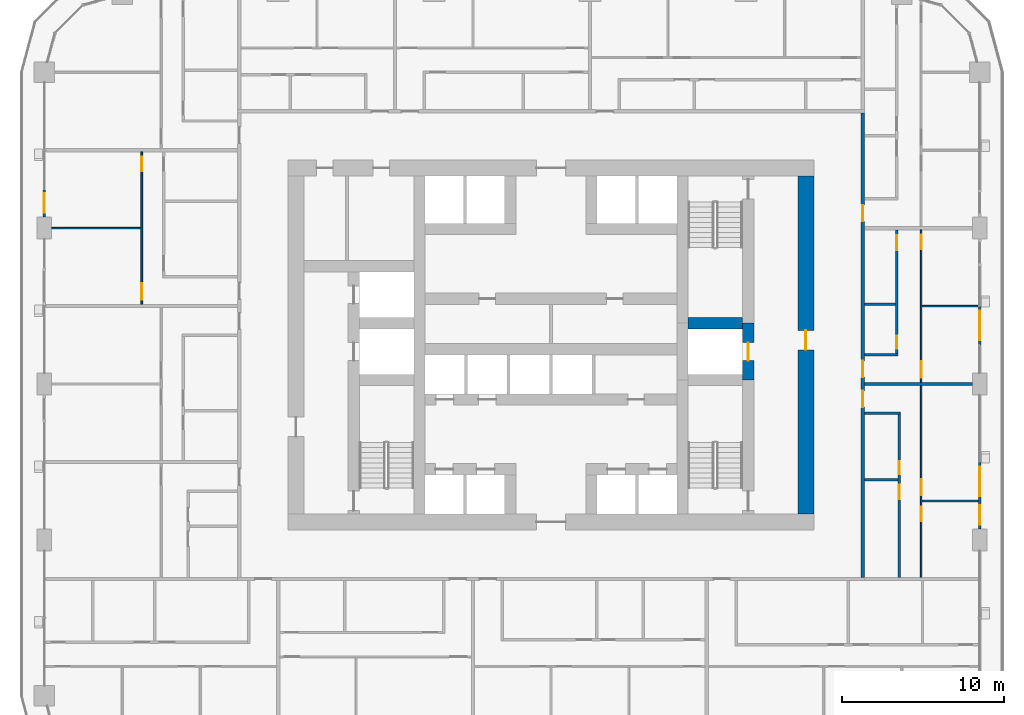
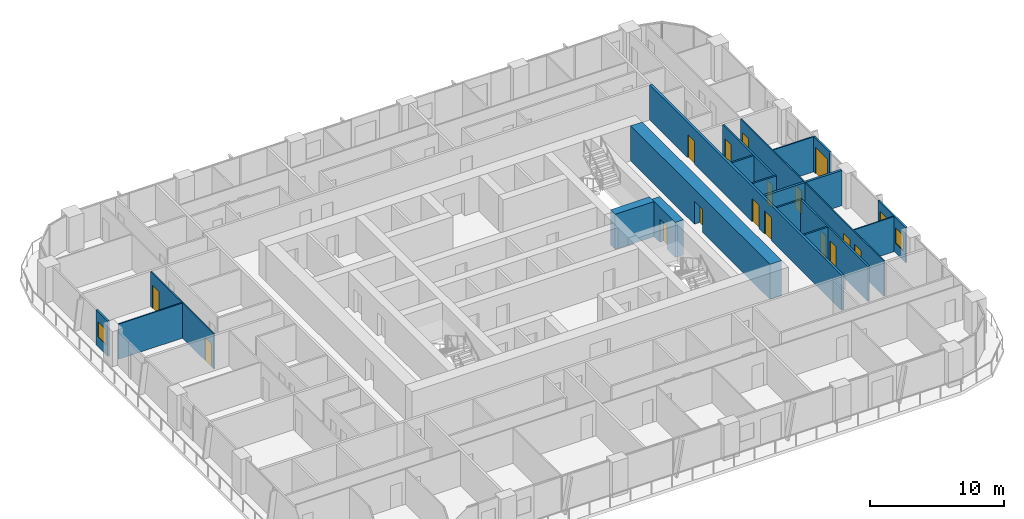
# One storey, part 12 of 21: 20 walls, 17 doors, 2 windows, 19 openings.
"""IFC4 building model written with IfcOpenShell, lengths in metres."""

import ifcopenshell
import ifcopenshell.guid

model = None  # the IFC model being written
_history = None  # IfcOwnerHistory: only IFC2X3 demands one
_inside = {}  # id of a spatial element -> (the spatial element, [elements in it])
_under = {}  # id of a project, library or spatial element -> (it, [spatial elements below it])
_declared = {}  # id of a project -> (the project, [libraries it declares])
_typed = {}  # id of a type object -> (the type object, [elements of that type])
_made_of = {}  # id of a material, layer set ... -> (it, [elements and type objects made of it])


def new_model(schema):
    """Start an empty IFC model of exactly this schema.

    Asked for "IFC4X3", IfcOpenShell would pick the latest addendum, in which some entities
    have other attributes; the version numbers below select the first issue.
    IFC2X3 requires an IfcOwnerHistory on every rooted entity: one is made here for all.
    """
    global model, _history
    if schema == "IFC4X3":
        model = ifcopenshell.file(schema_version=(4, 3, 0, 0))
    else:
        model = ifcopenshell.file(schema=schema)
    _inside.clear()
    _under.clear()
    _declared.clear()
    _typed.clear()
    _made_of.clear()
    _history = None
    if model.schema == "IFC2X3":
        org = make("IfcOrganization", Name="unknown")
        user = make(
            "IfcPersonAndOrganization",
            ThePerson=make("IfcPerson", FamilyName="unknown"),
            TheOrganization=org,
        )
        app = make(
            "IfcApplication",
            ApplicationDeveloper=org,
            Version="unknown",
            ApplicationFullName="unknown",
            ApplicationIdentifier="unknown",
        )
        _history = make(
            "IfcOwnerHistory",
            OwningUser=user,
            OwningApplication=app,
            ChangeAction="ADDED",
            CreationDate=0,
        )
    return model


def make(cls, **values):
    """One entity of the class cls with the attributes given. An attribute that is None is left unset."""
    return model.create_entity(
        cls, **{name: value for name, value in values.items() if value is not None}
    )


def rooted(cls, **values):
    """An entity with a GlobalId (a new one), such as an element, a storey or a relation."""
    return make(cls, GlobalId=ifcopenshell.guid.new(), OwnerHistory=_history, **values)


def si_unit(unit_type, name, prefix=None):
    """IfcSIUnit, for example si_unit("LENGTHUNIT", "METRE", prefix="MILLI")."""
    return make("IfcSIUnit", UnitType=unit_type, Prefix=prefix, Name=name)


def assignment(units):
    """IfcUnitAssignment: the units of a project."""
    return None if units is None else make("IfcUnitAssignment", Units=units)


def point(xyz):
    """IfcCartesianPoint."""
    return None if xyz is None else make("IfcCartesianPoint", Coordinates=xyz)


def direction(xyz):
    """IfcDirection."""
    return None if xyz is None else make("IfcDirection", DirectionRatios=xyz)


def frame(location, z_axis=None, x_axis=None):
    """IfcAxis2Placement3D, a coordinate frame: its origin and axes. An axis left out is left unset."""
    return make(
        "IfcAxis2Placement3D",
        Location=point(location),
        Axis=direction(z_axis),
        RefDirection=direction(x_axis),
    )


def frame_2d(location, x_axis=None):
    """IfcAxis2Placement2D, a coordinate frame in the plane: its origin and x axis."""
    return make(
        "IfcAxis2Placement2D", Location=point(location), RefDirection=direction(x_axis)
    )


def origin():
    """The frame at (0, 0, 0) with its axes left unset."""
    return frame((0.0, 0.0, 0.0))


def place(relative_to, where):
    """IfcLocalPlacement: puts the frame where relative to a parent placement (None: the world)."""
    return make(
        "IfcLocalPlacement", PlacementRelTo=relative_to, RelativePlacement=where
    )


def context(
    kind, dimensions, precision=None, world=None, true_north=None, identifier=None
):
    """IfcGeometricRepresentationContext, for example the 3D "Model" context."""
    return make(
        "IfcGeometricRepresentationContext",
        ContextIdentifier=identifier,
        ContextType=kind,
        CoordinateSpaceDimension=dimensions,
        Precision=precision,
        WorldCoordinateSystem=world,
        TrueNorth=true_north,
    )


def subcontext(parent, identifier, kind, view, scale=None):
    """IfcGeometricRepresentationSubContext, for example "Body" below "Model"."""
    return make(
        "IfcGeometricRepresentationSubContext",
        ContextIdentifier=identifier,
        ContextType=kind,
        ParentContext=parent,
        TargetScale=scale,
        TargetView=view,
    )


def project(units=None, contexts=None):
    """IfcProject with its units and contexts."""
    return rooted(
        "IfcProject",
        Name="project",
        RepresentationContexts=contexts,
        UnitsInContext=assignment(units),
    )


def spatial(cls, under=None, at=None, **own):
    """A site, building, storey or space (cls), placed at a placement, below another one or the project."""
    s = rooted(cls, ObjectPlacement=at, **own)
    if under is not None:
        _under.setdefault(under.id(), (under, []))[1].append(s)
    return s


def profile(cls, at=None, kind="AREA", **sizes):
    """A parametric profile (cls). Its sizes go by their IFC names, for example OverallWidth=200.0."""
    return make(cls, ProfileType=kind, Position=at, **sizes)


def rectangle(**sizes):
    """IfcRectangleProfileDef."""
    return profile("IfcRectangleProfileDef", **sizes)


def extrude(swept, where, along, depth):
    """IfcExtrudedAreaSolid: the profile swept, set in the frame where, extruded along a direction by depth."""
    return make(
        "IfcExtrudedAreaSolid",
        SweptArea=swept,
        Position=where,
        ExtrudedDirection=direction(along),
        Depth=depth,
    )


def shape(context_of_items, identifier, shape_type, items):
    """IfcShapeRepresentation: the items that make up one representation, for example the "Body"."""
    return make(
        "IfcShapeRepresentation",
        ContextOfItems=context_of_items,
        RepresentationIdentifier=identifier,
        RepresentationType=shape_type,
        Items=items,
    )


def material(Name=None, Category=None):
    """IfcMaterial."""
    return make("IfcMaterial", Name=Name, Category=Category)


def layer(
    of_material, thickness, ventilated=None, Name=None, Category=None, Priority=None
):
    """IfcMaterialLayer: one layer of a wall or slab, of a material (None: an air gap)."""
    return make(
        "IfcMaterialLayer",
        Material=of_material,
        LayerThickness=thickness,
        IsVentilated=ventilated,
        Name=Name,
        Category=Category,
        Priority=Priority,
    )


def layer_set(layers, Name=None):
    """IfcMaterialLayerSet."""
    return make("IfcMaterialLayerSet", MaterialLayers=layers, LayerSetName=Name)


def made_of(thing, what):
    """Note that an element or type object is made of a material, layer set ...; save() writes the relation."""
    if what is not None:
        _made_of.setdefault(what.id(), (what, []))[1].append(thing)
    return thing


def type_object(cls, material=None, **own):
    """A type object (cls), such as IfcWallType, which elements share."""
    return made_of(rooted(cls, **own), material)


def element(
    cls,
    number,
    at=None,
    inside=None,
    cuts=None,
    type_object=None,
    material=None,
    context=None,
    identifier="Body",
    shape_type=None,
    held_by="IfcProductDefinitionShape",
    body=None,
    shapes=None,
    **own,
):
    """One element of the class cls, such as IfcWall. Its Tag is "e" and its number.

    at: its placement. inside: the storey or other place that contains it. cuts: it is an
    opening in that element (IfcRelVoidsElement). A single representation is given by context,
    identifier, shape_type and body (its items); several are given by shapes. held_by: the class
    of the entity that holds the representations. save() writes the other relations.
    """
    e = rooted(cls, Tag="e%d" % number, ObjectPlacement=at, **own)
    if body is not None:
        shapes = [shape(context, identifier, shape_type, body)]
    if shapes is not None:
        e.Representation = make(held_by, Representations=shapes)
    if inside is not None:
        _inside.setdefault(inside.id(), (inside, []))[1].append(e)
    if cuts is not None:
        rooted(
            "IfcRelVoidsElement", RelatingBuildingElement=cuts, RelatedOpeningElement=e
        )
    if type_object is not None:
        _typed.setdefault(type_object.id(), (type_object, []))[1].append(e)
    return made_of(e, material)


def fill(opening, filler):
    """IfcRelFillsElement: the door or window that sits in an opening."""
    return rooted(
        "IfcRelFillsElement",
        RelatingOpeningElement=opening,
        RelatedBuildingElement=filler,
    )


def aggregate(whole, parts):
    """IfcRelAggregates: a whole, such as a stair, and the parts it consists of."""
    return rooted("IfcRelAggregates", RelatingObject=whole, RelatedObjects=parts)


def save(model, path):
    """Write the relations noted so far, then the file.

    IfcRelAggregates (storeys below a building ...), IfcRelContainedInSpatialStructure (elements
    in a storey), IfcRelDefinesByType, IfcRelAssociatesMaterial and IfcRelDeclares: one each for
    every whole, place, type object, material and project.
    """
    for whole, parts in _under.values():
        aggregate(whole, parts)
    for where, things in _inside.values():
        rooted(
            "IfcRelContainedInSpatialStructure",
            RelatedElements=things,
            RelatingStructure=where,
        )
    for kind, things in _typed.values():
        rooted("IfcRelDefinesByType", RelatedObjects=things, RelatingType=kind)
    for what, things in _made_of.values():
        rooted("IfcRelAssociatesMaterial", RelatedObjects=things, RelatingMaterial=what)
    for by, libraries in _declared.values():
        rooted("IfcRelDeclares", RelatingContext=by, RelatedDefinitions=libraries)
    model.write(path)


model = new_model("IFC4")

# Units and contexts
model_context = context("Model", 3, precision=1e-05, world=origin(), true_north=direction((0.0, 1.0)))
body_context = subcontext(model_context, "Body", "Model", "MODEL_VIEW")
ifc_project = project(units=[si_unit("LENGTHUNIT", "METRE"), si_unit("AREAUNIT", "SQUARE_METRE"), si_unit("VOLUMEUNIT", "CUBIC_METRE"), si_unit("PLANEANGLEUNIT", "RADIAN"), si_unit("MASSUNIT", "GRAM", prefix="KILO")], contexts=[model_context])

# Site, building, storey
site_placement = place(None, origin())
site = spatial("IfcSite", under=ifc_project, at=site_placement, CompositionType="ELEMENT")
building_placement = place(site_placement, origin())
building = spatial("IfcBuilding", under=site, at=building_placement, Name="Madar Terraces", CompositionType="ELEMENT")
storey_placement = place(building_placement, frame((0.0, 0.0, 39.89990234375)))
storey = spatial("IfcBuildingStorey", under=building, at=storey_placement, Name="L09", CompositionType="ELEMENT", Elevation=39.89990234375)

# Wall, opening, door
ifc_material_1 = material(Name="Concrete C80/95", Category="concrete")
ifc_layer_1 = layer(ifc_material_1, 0.699951171875)
ifc_layer_set_1 = layer_set([ifc_layer_1], Name="Concrete C80/95 (CIW1 RC wall 700)")
wall_type_1 = type_object("IfcWallType", Name="CIW1 RC wall 700", PredefinedType="SHEAR", material=ifc_layer_set_1)
wall_1_placement = place(storey_placement, frame((43.35009765625, 24.25, 0.0), z_axis=(0.0, 0.0, 1.0), x_axis=(0.0, 1.0, 0.0)))
wall_1 = element("IfcWall", 1, at=wall_1_placement, inside=storey, type_object=wall_type_1, Name="CORE SHAFT WALL", PredefinedType="SHEAR", context=body_context, shape_type="SweptSolid", body=[
    extrude(rectangle(XDim=3.5, YDim=0.699951171875, at=frame_2d((1.75, 0.0))), origin(), (0.0, 0.0, 1.0), 3.2001953125),
])
opening_1_placement = place(wall_1_placement, frame((1.199951171875, 0.0, 0.0)))
opening_1 = element("IfcOpeningElement", 2, at=opening_1_placement, cuts=wall_1, Name="Opening LD", PredefinedType="OPENING", context=body_context, shape_type="SweptSolid", body=[
    extrude(rectangle(XDim=1.10009765625, YDim=2.10009765625, at=frame_2d((0.550048828125, 1.050048828125))), frame((0.0, 0.35986328125, 0.0), z_axis=(0.0, -1.0, 0.0), x_axis=(1.0, 0.0, 0.0)), (0.0, 0.0, 1.0), 0.719970703125),
])
ifc_material_2 = material(Name="Stainless steel panel", Category="steel")
door_type_1 = type_object("IfcDoorType", Name="Lift landing door 1100 x 2100", OperationType="DOUBLE_DOOR_SLIDING", PredefinedType="DOOR", material=ifc_material_2)
door_1_placement = place(opening_1_placement, origin())
door_1 = element("IfcDoor", 3, at=door_1_placement, inside=storey, type_object=door_type_1, Name="LIFT LANDING DOOR", OperationType="DOUBLE_DOOR_SLIDING", OverallHeight=2.10009765625, OverallWidth=1.10009765625, PredefinedType="DOOR", context=body_context, shape_type="SweptSolid", body=[
    extrude(rectangle(XDim=1.10009765625, YDim=2.10009765625, at=frame_2d((0.550048828125, 1.050048828125))), frame((0.0, 0.02490234375, 0.0), z_axis=(0.0, -1.0, 0.0), x_axis=(1.0, 0.0, 0.0)), (0.0, 0.0, 1.0), 0.050048828125),
])
fill(opening_1, door_1)

# Wall
wall_2_placement = place(storey_placement, frame((39.64990234375, 27.75, 0.0), z_axis=(0.0, 0.0, 1.0), x_axis=(1.0, 0.0, 0.0)))
element("IfcWall", 4, at=wall_2_placement, inside=storey, type_object=wall_type_1, Name="CORE SHAFT WALL", PredefinedType="SHEAR", context=body_context, shape_type="SweptSolid", body=[
    extrude(rectangle(XDim=3.35009765625, YDim=0.699951171875, at=frame_2d((1.675048828125, 0.0))), origin(), (0.0, 0.0, 1.0), 3.2001953125),
])

# Wall, opening, door
ifc_material_3 = material(Name="Concrete C80/95", Category="concrete")
ifc_layer_2 = layer(ifc_material_3, 1.0)
ifc_layer_set_2 = layer_set([ifc_layer_2], Name="Concrete C80/95 (CRW1 RC wall 1000)")
wall_type_2 = type_object("IfcWallType", Name="CRW1 RC wall 1000", PredefinedType="SHEAR", material=ifc_layer_set_2)
wall_3_placement = place(storey_placement, frame((46.89990234375, 16.0, 0.0), z_axis=(0.0, 0.0, 1.0), x_axis=(0.0, 1.0, 0.0)))
wall_3 = element("IfcWall", 5, at=wall_3_placement, inside=storey, type_object=wall_type_2, Name="CORE OUTER WALL", PredefinedType="SHEAR", context=body_context, shape_type="SweptSolid", body=[
    extrude(rectangle(XDim=20.800048828125, YDim=1.0, at=frame_2d((10.39990234375, 0.0))), origin(), (0.0, 0.0, 1.0), 3.2001953125),
])
opening_2_placement = place(wall_3_placement, frame((10.10009765625, 0.0, 0.0)))
opening_2 = element("IfcOpeningElement", 6, at=opening_2_placement, cuts=wall_3, Name="Opening SD1", PredefinedType="OPENING", context=body_context, shape_type="SweptSolid", body=[
    extrude(rectangle(XDim=1.199951171875, YDim=2.10009765625, at=frame_2d((0.60009765625, 1.050048828125))), frame((0.0, 0.510009765625, 0.0), z_axis=(0.0, -1.0, 0.0), x_axis=(1.0, 0.0, 0.0)), (0.0, 0.0, 1.0), 1.02001953125),
])
ifc_material_4 = material(Name="Steel door leaf", Category="steel")
door_type_2 = type_object("IfcDoorType", Name="Stair door 1200 x 2100", OperationType="NOTDEFINED", PredefinedType="DOOR", material=ifc_material_4)
door_2_placement = place(opening_2_placement, origin())
door_2 = element("IfcDoor", 7, at=door_2_placement, inside=storey, type_object=door_type_2, Name="STAIR DOOR", OperationType="SINGLE_SWING_LEFT", OverallHeight=2.10009765625, OverallWidth=1.199951171875, PredefinedType="DOOR", context=body_context, shape_type="SweptSolid", body=[
    extrude(rectangle(XDim=1.199951171875, YDim=2.10009765625, at=frame_2d((0.60009765625, 1.050048828125))), frame((0.0, 0.02490234375, 0.0), z_axis=(0.0, -1.0, 0.0), x_axis=(1.0, 0.0, 0.0)), (0.0, 0.0, 1.0), 0.050048828125),
])
fill(opening_2, door_2)

# Wall, openings, door, window
ifc_material_5 = material(Name="Aluminium composite panel, black, over insulated backing", Category="aluminium")
ifc_layer_3 = layer(ifc_material_5, 0.14990234375)
ifc_layer_set_3 = layer_set([ifc_layer_3], Name="Facade bay panel 150")
wall_type_3 = type_object("IfcWallType", Name="Facade bay panel 150", PredefinedType="SOLIDWALL", material=ifc_layer_set_3)
wall_4_placement = place(storey_placement, frame((57.60009765625, 15.074951171875, 0.0), z_axis=(0.0, 0.0, 1.0), x_axis=(0.0, 1.0, 0.0)))
wall_4 = element("IfcWall", 8, at=wall_4_placement, inside=storey, type_object=wall_type_3, Name="Facade bay panel", PredefinedType="SOLIDWALL", context=body_context, shape_type="SweptSolid", body=[
    extrude(rectangle(XDim=4.125, YDim=0.14990234375, at=frame_2d((2.0625, 0.0))), origin(), (0.0, 0.0, 1.0), 3.2001953125),
])
opening_3_placement = place(wall_4_placement, frame((0.262451171875, 0.0, 0.89990234375)))
opening_3 = element("IfcOpeningElement", 9, at=opening_3_placement, cuts=wall_4, Name="Opening W1", PredefinedType="OPENING", context=body_context, shape_type="SweptSolid", body=[
    extrude(rectangle(XDim=1.199951171875, YDim=1.39990234375, at=frame_2d((0.60009765625, 0.699951171875))), frame((0.0, 0.0849609375, 0.0), z_axis=(0.0, -1.0, 0.0), x_axis=(1.0, 0.0, 0.0)), (0.0, 0.0, 1.0), 0.169921875),
])
opening_4_placement = place(wall_4_placement, frame((2.02490234375, 0.0, 0.0)))
opening_4 = element("IfcOpeningElement", 10, at=opening_4_placement, cuts=wall_4, Name="Opening ED1", PredefinedType="OPENING", context=body_context, shape_type="SweptSolid", body=[
    extrude(rectangle(XDim=1.800048828125, YDim=2.39990234375, at=frame_2d((0.89990234375, 1.199951171875))), frame((0.0, 0.0849609375, 0.0), z_axis=(0.0, -1.0, 0.0), x_axis=(1.0, 0.0, 0.0)), (0.0, 0.0, 1.0), 0.169921875),
])
ifc_material_6 = material(Name="Glass, clear, with black aluminium frame", Category="aluminium")
door_type_3 = type_object("IfcDoorType", Name="Balcony and terrace sliding door 1800 x 2400", OperationType="SLIDING_TO_LEFT", PredefinedType="DOOR", material=ifc_material_6)
door_3_placement = place(opening_4_placement, origin())
door_3 = element("IfcDoor", 11, at=door_3_placement, inside=storey, type_object=door_type_3, Name="Balcony door", OperationType="SLIDING_TO_RIGHT", OverallHeight=2.39990234375, OverallWidth=1.800048828125, PredefinedType="DOOR", context=body_context, shape_type="SweptSolid", body=[
    extrude(rectangle(XDim=1.800048828125, YDim=2.39990234375, at=frame_2d((0.89990234375, 1.199951171875))), frame((0.0, 0.02490234375, 0.0), z_axis=(0.0, -1.0, 0.0), x_axis=(1.0, 0.0, 0.0)), (0.0, 0.0, 1.0), 0.050048828125),
])
fill(opening_4, door_3)
ifc_material_7 = material(Name="Glass, clear, with black aluminium frame", Category="aluminium")
window_type = type_object("IfcWindowType", Name="Vent window 1200 x 1400", PartitioningType="SINGLE_PANEL", PredefinedType="WINDOW", material=ifc_material_7)
window_1_placement = place(opening_3_placement, origin())
window_1 = element("IfcWindow", 12, at=window_1_placement, inside=storey, type_object=window_type, Name="Operable vent window", OverallHeight=1.39990234375, OverallWidth=1.199951171875, PartitioningType="SINGLE_PANEL", PredefinedType="WINDOW", context=body_context, shape_type="SweptSolid", body=[
    extrude(rectangle(XDim=1.199951171875, YDim=1.39990234375, at=frame_2d((0.60009765625, 0.699951171875))), frame((0.0, 0.030029296875, 0.0), z_axis=(0.0, -1.0, 0.0), x_axis=(1.0, 0.0, 0.0)), (0.0, 0.0, 1.0), 0.06005859375),
])
fill(opening_3, window_1)

# Wall, opening, door
wall_5_placement = place(storey_placement, frame((57.60009765625, 26.39990234375, 0.0), z_axis=(0.0, 0.0, 1.0), x_axis=(0.0, 1.0, 0.0)))
wall_5 = element("IfcWall", 13, at=wall_5_placement, inside=storey, type_object=wall_type_3, Name="Facade bay panel", PredefinedType="SOLIDWALL", context=body_context, shape_type="SweptSolid", body=[
    extrude(rectangle(XDim=2.400146484375, YDim=0.14990234375, at=frame_2d((1.2001953125, 0.0))), origin(), (0.0, 0.0, 1.0), 3.2001953125),
])
opening_5_placement = place(wall_5_placement, frame((0.300048828125, 0.0, 0.0)))
opening_5 = element("IfcOpeningElement", 14, at=opening_5_placement, cuts=wall_5, Name="Opening ED1", PredefinedType="OPENING", context=body_context, shape_type="SweptSolid", body=[
    extrude(rectangle(XDim=1.800048828125, YDim=2.39990234375, at=frame_2d((0.89990234375, 1.199951171875))), frame((0.0, 0.0849609375, 0.0), z_axis=(0.0, -1.0, 0.0), x_axis=(1.0, 0.0, 0.0)), (0.0, 0.0, 1.0), 0.169921875),
])
door_4_placement = place(opening_5_placement, origin())
door_4 = element("IfcDoor", 15, at=door_4_placement, inside=storey, type_object=door_type_3, Name="Balcony door", OperationType="SLIDING_TO_LEFT", OverallHeight=2.39990234375, OverallWidth=1.800048828125, PredefinedType="DOOR", context=body_context, shape_type="SweptSolid", body=[
    extrude(rectangle(XDim=1.800048828125, YDim=2.39990234375, at=frame_2d((0.89990234375, 1.199951171875))), frame((0.0, 0.02490234375, 0.0), z_axis=(0.0, -1.0, 0.0), x_axis=(1.0, 0.0, 0.0)), (0.0, 0.0, 1.0), 0.050048828125),
])
fill(opening_5, door_4)

# Wall, opening, window
wall_6_placement = place(storey_placement, frame((0.0, 36.0, 0.0), z_axis=(0.0, 0.0, 1.0), x_axis=(0.0, -1.0, 0.0)))
wall_6 = element("IfcWall", 16, at=wall_6_placement, inside=storey, type_object=wall_type_3, Name="Facade bay panel", PredefinedType="SOLIDWALL", context=body_context, shape_type="SweptSolid", body=[
    extrude(rectangle(XDim=1.72509765625, YDim=0.14990234375, at=frame_2d((0.862548828125, 0.0))), origin(), (0.0, 0.0, 1.0), 3.2001953125),
])
opening_6_placement = place(wall_6_placement, frame((0.262451171875, 0.0, 0.89990234375)))
opening_6 = element("IfcOpeningElement", 17, at=opening_6_placement, cuts=wall_6, Name="Opening W1", PredefinedType="OPENING", context=body_context, shape_type="SweptSolid", body=[
    extrude(rectangle(XDim=1.199951171875, YDim=1.39990234375, at=frame_2d((0.60009765625, 0.699951171875))), frame((0.0, 0.0849609375, 0.0), z_axis=(0.0, -1.0, 0.0), x_axis=(1.0, 0.0, 0.0)), (0.0, 0.0, 1.0), 0.169921875),
])
window_2_placement = place(opening_6_placement, origin())
window_2 = element("IfcWindow", 18, at=window_2_placement, inside=storey, type_object=window_type, Name="Operable vent window", OverallHeight=1.39990234375, OverallWidth=1.199951171875, PartitioningType="SINGLE_PANEL", PredefinedType="WINDOW", context=body_context, shape_type="SweptSolid", body=[
    extrude(rectangle(XDim=1.199951171875, YDim=1.39990234375, at=frame_2d((0.60009765625, 0.699951171875))), frame((0.0, 0.030029296875, 0.0), z_axis=(0.0, -1.0, 0.0), x_axis=(1.0, 0.0, 0.0)), (0.0, 0.0, 1.0), 0.06005859375),
])
fill(opening_6, window_2)

# Wall
ifc_material_8 = material(Name="Gypsum board on steel studs", Category="steel")
ifc_layer_4 = layer(ifc_material_8, 0.10009765625)
ifc_layer_set_4 = layer_set([ifc_layer_4], Name="Flat partition 100")
wall_type_4 = type_object("IfcWallType", Name="Flat partition 100", PredefinedType="PARTITIONING", material=ifc_layer_set_4)
wall_7_placement = place(storey_placement, frame((54.050048828125, 16.800048828125, 0.0), z_axis=(0.0, 0.0, 1.0), x_axis=(1.0, 0.0, 0.0)))
element("IfcWall", 19, at=wall_7_placement, inside=storey, type_object=wall_type_4, Name="Flat partition 100", PredefinedType="PARTITIONING", context=body_context, shape_type="SweptSolid", body=[
    extrude(rectangle(XDim=3.449951171875, YDim=0.10009765625, at=frame_2d((1.72509765625, 0.0))), origin(), (0.0, 0.0, 1.0), 3.2001953125),
])

# Wall, openings, doors
wall_8_placement = place(storey_placement, frame((54.0, 23.89990234375, 0.0), z_axis=(0.0, 0.0, 1.0), x_axis=(0.0, -1.0, 0.0)))
wall_8 = element("IfcWall", 20, at=wall_8_placement, inside=storey, type_object=wall_type_4, Name="Flat partition 100", PredefinedType="PARTITIONING", context=body_context, shape_type="SweptSolid", body=[
    extrude(rectangle(XDim=11.7998046875, YDim=0.10009765625, at=frame_2d((5.89990234375, 0.0))), origin(), (0.0, 0.0, 1.0), 3.2001953125),
])
opening_7_placement = place(wall_8_placement, frame((5.75, 0.0, 0.0)))
opening_7 = element("IfcOpeningElement", 21, at=opening_7_placement, cuts=wall_8, Name="Opening D3", PredefinedType="OPENING", context=body_context, shape_type="SweptSolid", body=[
    extrude(rectangle(XDim=1.0, YDim=2.10009765625, at=frame_2d((0.5, 1.050048828125))), frame((0.0, 0.06005859375, 0.0), z_axis=(0.0, -1.0, 0.0), x_axis=(1.0, 0.0, 0.0)), (0.0, 0.0, 1.0), 0.1201171875),
])
opening_8_placement = place(wall_8_placement, frame((7.449951171875, 0.0, 0.0)))
opening_8 = element("IfcOpeningElement", 22, at=opening_8_placement, cuts=wall_8, Name="Opening D2", PredefinedType="OPENING", context=body_context, shape_type="SweptSolid", body=[
    extrude(rectangle(XDim=0.89990234375, YDim=2.10009765625, at=frame_2d((0.449951171875, 1.050048828125))), frame((0.0, 0.06005859375, 0.0), z_axis=(0.0, -1.0, 0.0), x_axis=(1.0, 0.0, 0.0)), (0.0, 0.0, 1.0), 0.1201171875),
])
ifc_material_9 = material(Name="Timber door leaf", Category="wood")
door_type_4 = type_object("IfcDoorType", Name="Flat living room door 1000", OperationType="NOTDEFINED", PredefinedType="DOOR", material=ifc_material_9)
door_5_placement = place(opening_7_placement, origin())
door_5 = element("IfcDoor", 23, at=door_5_placement, inside=storey, type_object=door_type_4, Name="Flat living room door 1000", OperationType="SINGLE_SWING_RIGHT", OverallHeight=2.10009765625, OverallWidth=1.0, PredefinedType="DOOR", context=body_context, shape_type="SweptSolid", body=[
    extrude(rectangle(XDim=1.0, YDim=2.10009765625, at=frame_2d((0.5, 1.050048828125))), frame((0.0, 0.02490234375, 0.0), z_axis=(0.0, -1.0, 0.0), x_axis=(1.0, 0.0, 0.0)), (0.0, 0.0, 1.0), 0.050048828125),
])
fill(opening_7, door_5)
ifc_material_10 = material(Name="Timber door leaf", Category="wood")
door_type_5 = type_object("IfcDoorType", Name="Flat room door 900", OperationType="NOTDEFINED", PredefinedType="DOOR", material=ifc_material_10)
door_6_placement = place(opening_8_placement, origin())
door_6 = element("IfcDoor", 24, at=door_6_placement, inside=storey, type_object=door_type_5, Name="Flat room door 900", OperationType="SINGLE_SWING_LEFT", OverallHeight=2.10009765625, OverallWidth=0.89990234375, PredefinedType="DOOR", context=body_context, shape_type="SweptSolid", body=[
    extrude(rectangle(XDim=0.89990234375, YDim=2.10009765625, at=frame_2d((0.449951171875, 1.050048828125))), frame((0.0, 0.02490234375, 0.0), z_axis=(0.0, -1.0, 0.0), x_axis=(1.0, 0.0, 0.0)), (0.0, 0.0, 1.0), 0.050048828125),
])
fill(opening_8, door_6)

# Wall
wall_9_placement = place(storey_placement, frame((54.050048828125, 28.800048828125, 0.0), z_axis=(0.0, 0.0, 1.0), x_axis=(1.0, 0.0, 0.0)))
element("IfcWall", 25, at=wall_9_placement, inside=storey, type_object=wall_type_4, Name="Flat partition 100", PredefinedType="PARTITIONING", context=body_context, shape_type="SweptSolid", body=[
    extrude(rectangle(XDim=3.449951171875, YDim=0.10009765625, at=frame_2d((1.72509765625, 0.0))), origin(), (0.0, 0.0, 1.0), 3.2001953125),
])

# Wall, openings, doors
wall_10_placement = place(storey_placement, frame((54.0, 33.5, 0.0), z_axis=(0.0, 0.0, 1.0), x_axis=(0.0, -1.0, 0.0)))
wall_10 = element("IfcWall", 26, at=wall_10_placement, inside=storey, type_object=wall_type_4, Name="Flat partition 100", PredefinedType="PARTITIONING", context=body_context, shape_type="SweptSolid", body=[
    extrude(rectangle(XDim=9.39990234375, YDim=0.10009765625, at=frame_2d((4.699951171875, 0.0))), origin(), (0.0, 0.0, 1.0), 3.2001953125),
])
opening_9_placement = place(wall_10_placement, frame((8.10009765625, 0.0, 0.0)))
opening_9 = element("IfcOpeningElement", 27, at=opening_9_placement, cuts=wall_10, Name="Opening D3", PredefinedType="OPENING", context=body_context, shape_type="SweptSolid", body=[
    extrude(rectangle(XDim=1.0, YDim=2.10009765625, at=frame_2d((0.5, 1.050048828125))), frame((0.0, 0.06005859375, 0.0), z_axis=(0.0, -1.0, 0.0), x_axis=(1.0, 0.0, 0.0)), (0.0, 0.0, 1.0), 0.1201171875),
])
opening_10_placement = place(wall_10_placement, frame((0.300048828125, 0.0, 0.0)))
opening_10 = element("IfcOpeningElement", 28, at=opening_10_placement, cuts=wall_10, Name="Opening D2", PredefinedType="OPENING", context=body_context, shape_type="SweptSolid", body=[
    extrude(rectangle(XDim=0.89990234375, YDim=2.10009765625, at=frame_2d((0.449951171875, 1.050048828125))), frame((0.0, 0.06005859375, 0.0), z_axis=(0.0, -1.0, 0.0), x_axis=(1.0, 0.0, 0.0)), (0.0, 0.0, 1.0), 0.1201171875),
])
door_7_placement = place(opening_9_placement, origin())
door_7 = element("IfcDoor", 29, at=door_7_placement, inside=storey, type_object=door_type_4, Name="Flat living room door 1000", OperationType="SINGLE_SWING_RIGHT", OverallHeight=2.10009765625, OverallWidth=1.0, PredefinedType="DOOR", context=body_context, shape_type="SweptSolid", body=[
    extrude(rectangle(XDim=1.0, YDim=2.10009765625, at=frame_2d((0.5, 1.050048828125))), frame((0.0, 0.02490234375, 0.0), z_axis=(0.0, -1.0, 0.0), x_axis=(1.0, 0.0, 0.0)), (0.0, 0.0, 1.0), 0.050048828125),
])
fill(opening_9, door_7)
door_8_placement = place(opening_10_placement, origin())
door_8 = element("IfcDoor", 30, at=door_8_placement, inside=storey, type_object=door_type_5, Name="Flat room door 900", OperationType="SINGLE_SWING_LEFT", OverallHeight=2.10009765625, OverallWidth=0.89990234375, PredefinedType="DOOR", context=body_context, shape_type="SweptSolid", body=[
    extrude(rectangle(XDim=0.89990234375, YDim=2.10009765625, at=frame_2d((0.449951171875, 1.050048828125))), frame((0.0, 0.02490234375, 0.0), z_axis=(0.0, -1.0, 0.0), x_axis=(1.0, 0.0, 0.0)), (0.0, 0.0, 1.0), 0.050048828125),
])
fill(opening_10, door_8)

# Wall
wall_11_placement = place(storey_placement, frame((5.949951171875, 33.60009765625, 0.0), z_axis=(0.0, 0.0, 1.0), x_axis=(-1.0, 0.0, 0.0)))
element("IfcWall", 31, at=wall_11_placement, inside=storey, type_object=wall_type_4, Name="Flat partition 100", PredefinedType="PARTITIONING", context=body_context, shape_type="SweptSolid", body=[
    extrude(rectangle(XDim=5.5, YDim=0.10009765625, at=frame_2d((2.75, 0.0))), origin(), (0.0, 0.0, 1.0), 3.2001953125),
])

# Wall, openings, doors
wall_12_placement = place(storey_placement, frame((6.0, 28.89990234375, 0.0), z_axis=(0.0, 0.0, 1.0), x_axis=(0.0, 1.0, 0.0)))
wall_12 = element("IfcWall", 32, at=wall_12_placement, inside=storey, type_object=wall_type_4, Name="Flat partition 100", PredefinedType="PARTITIONING", context=body_context, shape_type="SweptSolid", body=[
    extrude(rectangle(XDim=9.400146484375, YDim=0.10009765625, at=frame_2d((4.7001953125, 0.0))), origin(), (0.0, 0.0, 1.0), 3.2001953125),
])
opening_11_placement = place(wall_12_placement, frame((0.300048828125, 0.0, 0.0)))
opening_11 = element("IfcOpeningElement", 33, at=opening_11_placement, cuts=wall_12, Name="Opening D3", PredefinedType="OPENING", context=body_context, shape_type="SweptSolid", body=[
    extrude(rectangle(XDim=1.0, YDim=2.10009765625, at=frame_2d((0.5, 1.050048828125))), frame((0.0, 0.06005859375, 0.0), z_axis=(0.0, -1.0, 0.0), x_axis=(1.0, 0.0, 0.0)), (0.0, 0.0, 1.0), 0.1201171875),
])
opening_12_placement = place(wall_12_placement, frame((8.199951171875, 0.0, 0.0)))
opening_12 = element("IfcOpeningElement", 34, at=opening_12_placement, cuts=wall_12, Name="Opening D2", PredefinedType="OPENING", context=body_context, shape_type="SweptSolid", body=[
    extrude(rectangle(XDim=0.89990234375, YDim=2.10009765625, at=frame_2d((0.449951171875, 1.050048828125))), frame((0.0, 0.06005859375, 0.0), z_axis=(0.0, -1.0, 0.0), x_axis=(1.0, 0.0, 0.0)), (0.0, 0.0, 1.0), 0.1201171875),
])
door_9_placement = place(opening_11_placement, origin())
door_9 = element("IfcDoor", 35, at=door_9_placement, inside=storey, type_object=door_type_4, Name="Flat living room door 1000", OperationType="SINGLE_SWING_LEFT", OverallHeight=2.10009765625, OverallWidth=1.0, PredefinedType="DOOR", context=body_context, shape_type="SweptSolid", body=[
    extrude(rectangle(XDim=1.0, YDim=2.10009765625, at=frame_2d((0.5, 1.050048828125))), frame((0.0, 0.02490234375, 0.0), z_axis=(0.0, -1.0, 0.0), x_axis=(1.0, 0.0, 0.0)), (0.0, 0.0, 1.0), 0.050048828125),
])
fill(opening_11, door_9)
door_10_placement = place(opening_12_placement, origin())
door_10 = element("IfcDoor", 36, at=door_10_placement, inside=storey, type_object=door_type_5, Name="Flat room door 900", OperationType="SINGLE_SWING_RIGHT", OverallHeight=2.10009765625, OverallWidth=0.89990234375, PredefinedType="DOOR", context=body_context, shape_type="SweptSolid", body=[
    extrude(rectangle(XDim=0.89990234375, YDim=2.10009765625, at=frame_2d((0.449951171875, 1.050048828125))), frame((0.0, 0.02490234375, 0.0), z_axis=(0.0, -1.0, 0.0), x_axis=(1.0, 0.0, 0.0)), (0.0, 0.0, 1.0), 0.050048828125),
])
fill(opening_12, door_10)

ifc_material_11 = material(Name="Lightweight blockwork", Category="masonry")
ifc_layer_5 = layer(ifc_material_11, 0.199951171875)
ifc_layer_set_5 = layer_set([ifc_layer_5], Name="Flat party and entrance wall 200")
wall_type_5 = type_object("IfcWallType", Name="Flat party and entrance wall 200", PredefinedType="PARTITIONING", material=ifc_layer_set_5)
wall_13_placement = place(storey_placement, frame((50.39990234375, 40.699951171875, 0.0), z_axis=(0.0, 0.0, 1.0), x_axis=(0.0, -1.0, 0.0)))
wall_13 = element("IfcWall", 37, at=wall_13_placement, inside=storey, type_object=wall_type_5, Name="Flat party and entrance wall 200", PredefinedType="PARTITIONING", context=body_context, shape_type="SweptSolid", body=[
    extrude(rectangle(XDim=28.599853515625, YDim=0.199951171875, at=frame_2d((14.2998046875, 0.0))), origin(), (0.0, 0.0, 1.0), 3.2001953125),
])
opening_13_placement = place(wall_13_placement, frame((17.125, 0.0, 0.0)))
opening_13 = element("IfcOpeningElement", 38, at=opening_13_placement, cuts=wall_13, Name="Opening D1", PredefinedType="OPENING", context=body_context, shape_type="SweptSolid", body=[
    extrude(rectangle(XDim=1.0, YDim=2.10009765625, at=frame_2d((0.5, 1.050048828125))), frame((0.0, 0.10986328125, 0.0), z_axis=(0.0, -1.0, 0.0), x_axis=(1.0, 0.0, 0.0)), (0.0, 0.0, 1.0), 0.219970703125),
])
opening_14_placement = place(wall_13_placement, frame((15.27490234375, 0.0, 0.0)))
opening_14 = element("IfcOpeningElement", 39, at=opening_14_placement, cuts=wall_13, Name="Opening D1", PredefinedType="OPENING", context=body_context, shape_type="SweptSolid", body=[
    extrude(rectangle(XDim=1.0, YDim=2.10009765625, at=frame_2d((0.5, 1.050048828125))), frame((0.0, 0.10986328125, 0.0), z_axis=(0.0, -1.0, 0.0), x_axis=(1.0, 0.0, 0.0)), (0.0, 0.0, 1.0), 0.219970703125),
])
opening_15_placement = place(wall_13_placement, frame((5.675048828125, 0.0, 0.0)))
opening_15 = element("IfcOpeningElement", 40, at=opening_15_placement, cuts=wall_13, Name="Opening D1", PredefinedType="OPENING", context=body_context, shape_type="SweptSolid", body=[
    extrude(rectangle(XDim=1.0, YDim=2.10009765625, at=frame_2d((0.5, 1.050048828125))), frame((0.0, 0.10986328125, 0.0), z_axis=(0.0, -1.0, 0.0), x_axis=(1.0, 0.0, 0.0)), (0.0, 0.0, 1.0), 0.219970703125),
])
ifc_material_12 = material(Name="Timber fire door leaf", Category="wood")
door_type_6 = type_object("IfcDoorType", Name="Flat entrance door 1000 FD30S", OperationType="NOTDEFINED", PredefinedType="DOOR", material=ifc_material_12)
door_11_placement = place(opening_13_placement, origin())
door_11 = element("IfcDoor", 41, at=door_11_placement, inside=storey, type_object=door_type_6, Name="Flat entrance door 1000 FD30S", OperationType="SINGLE_SWING_LEFT", OverallHeight=2.10009765625, OverallWidth=1.0, PredefinedType="DOOR", context=body_context, shape_type="SweptSolid", body=[
    extrude(rectangle(XDim=1.0, YDim=2.10009765625, at=frame_2d((0.5, 1.050048828125))), frame((0.0, 0.02490234375, 0.0), z_axis=(0.0, -1.0, 0.0), x_axis=(1.0, 0.0, 0.0)), (0.0, 0.0, 1.0), 0.050048828125),
])
fill(opening_13, door_11)
door_12_placement = place(opening_14_placement, origin())
door_12 = element("IfcDoor", 42, at=door_12_placement, inside=storey, type_object=door_type_6, Name="Flat entrance door 1000 FD30S", OperationType="SINGLE_SWING_RIGHT", OverallHeight=2.10009765625, OverallWidth=1.0, PredefinedType="DOOR", context=body_context, shape_type="SweptSolid", body=[
    extrude(rectangle(XDim=1.0, YDim=2.10009765625, at=frame_2d((0.5, 1.050048828125))), frame((0.0, 0.02490234375, 0.0), z_axis=(0.0, -1.0, 0.0), x_axis=(1.0, 0.0, 0.0)), (0.0, 0.0, 1.0), 0.050048828125),
])
fill(opening_14, door_12)
door_13_placement = place(opening_15_placement, origin())
door_13 = element("IfcDoor", 43, at=door_13_placement, inside=storey, type_object=door_type_6, Name="Flat entrance door 1000 FD30S", OperationType="SINGLE_SWING_RIGHT", OverallHeight=2.10009765625, OverallWidth=1.0, PredefinedType="DOOR", context=body_context, shape_type="SweptSolid", body=[
    extrude(rectangle(XDim=1.0, YDim=2.10009765625, at=frame_2d((0.5, 1.050048828125))), frame((0.0, 0.02490234375, 0.0), z_axis=(0.0, -1.0, 0.0), x_axis=(1.0, 0.0, 0.0)), (0.0, 0.0, 1.0), 0.050048828125),
])
fill(opening_15, door_13)

# Walls
wall_14_placement = place(storey_placement, frame((50.5, 24.0, 0.0), z_axis=(0.0, 0.0, 1.0), x_axis=(1.0, 0.0, 0.0)))
element("IfcWall", 44, at=wall_14_placement, inside=storey, type_object=wall_type_5, Name="Flat party and entrance wall 200", PredefinedType="PARTITIONING", context=body_context, shape_type="SweptSolid", body=[
    extrude(rectangle(XDim=6.64990234375, YDim=0.199951171875, at=frame_2d((3.324951171875, 0.0))), origin(), (0.0, 0.0, 1.0), 3.2001953125),
])
ifc_material_13 = material(Name="Lightweight blockwork", Category="masonry")
ifc_layer_6 = layer(ifc_material_13, 0.14990234375)
ifc_layer_set_6 = layer_set([ifc_layer_6], Name="Flat wet-room partition 150")
wall_type_6 = type_object("IfcWallType", Name="Flat wet-room partition 150", PredefinedType="PARTITIONING", material=ifc_layer_set_6)
wall_15_placement = place(storey_placement, frame((50.5, 18.114990234375, 0.0), z_axis=(0.0, 0.0, 1.0), x_axis=(1.0, 0.0, 0.0)))
element("IfcWall", 45, at=wall_15_placement, inside=storey, type_object=wall_type_6, Name="Flat wet-room partition 150", PredefinedType="PARTITIONING", context=body_context, shape_type="SweptSolid", body=[
    extrude(rectangle(XDim=2.074951171875, YDim=0.14990234375, at=frame_2d((1.03759765625, 0.0))), origin(), (0.0, 0.0, 1.0), 3.2001953125),
])
wall_16_placement = place(storey_placement, frame((50.5, 22.199951171875, 0.0), z_axis=(0.0, 0.0, 1.0), x_axis=(1.0, 0.0, 0.0)))
element("IfcWall", 46, at=wall_16_placement, inside=storey, type_object=wall_type_6, Name="Flat wet-room partition 150", PredefinedType="PARTITIONING", context=body_context, shape_type="SweptSolid", body=[
    extrude(rectangle(XDim=2.22509765625, YDim=0.14990234375, at=frame_2d((1.112548828125, 0.0))), origin(), (0.0, 0.0, 1.0), 3.2001953125),
])

# Wall, openings, doors
wall_17_placement = place(storey_placement, frame((52.64990234375, 12.10009765625, 0.0), z_axis=(0.0, 0.0, 1.0), x_axis=(0.0, 1.0, 0.0)))
wall_17 = element("IfcWall", 47, at=wall_17_placement, inside=storey, type_object=wall_type_6, Name="Flat wet-room partition 150", PredefinedType="PARTITIONING", context=body_context, shape_type="SweptSolid", body=[
    extrude(rectangle(XDim=10.02490234375, YDim=0.14990234375, at=frame_2d((5.012451171875, 0.0))), origin(), (0.0, 0.0, 1.0), 3.2001953125),
])
opening_16_placement = place(wall_17_placement, frame((6.340087890625, 0.0, 0.0)))
opening_16 = element("IfcOpeningElement", 48, at=opening_16_placement, cuts=wall_17, Name="Opening D4", PredefinedType="OPENING", context=body_context, shape_type="SweptSolid", body=[
    extrude(rectangle(XDim=0.800048828125, YDim=2.10009765625, at=frame_2d((0.39990234375, 1.050048828125))), frame((0.0, 0.0849609375, 0.0), z_axis=(0.0, -1.0, 0.0), x_axis=(1.0, 0.0, 0.0)), (0.0, 0.0, 1.0), 0.169921875),
])
opening_17_placement = place(wall_17_placement, frame((4.7900390625, 0.0, 0.0)))
opening_17 = element("IfcOpeningElement", 49, at=opening_17_placement, cuts=wall_17, Name="Opening D2", PredefinedType="OPENING", context=body_context, shape_type="SweptSolid", body=[
    extrude(rectangle(XDim=0.89990234375, YDim=2.10009765625, at=frame_2d((0.449951171875, 1.050048828125))), frame((0.0, 0.0849609375, 0.0), z_axis=(0.0, -1.0, 0.0), x_axis=(1.0, 0.0, 0.0)), (0.0, 0.0, 1.0), 0.169921875),
])
ifc_material_14 = material(Name="Timber door leaf", Category="wood")
door_type_7 = type_object("IfcDoorType", Name="Flat bathroom door 800", OperationType="NOTDEFINED", PredefinedType="DOOR", material=ifc_material_14)
door_14_placement = place(opening_16_placement, origin())
door_14 = element("IfcDoor", 50, at=door_14_placement, inside=storey, type_object=door_type_7, Name="Flat bathroom door 800", OperationType="SINGLE_SWING_LEFT", OverallHeight=2.10009765625, OverallWidth=0.800048828125, PredefinedType="DOOR", context=body_context, shape_type="SweptSolid", body=[
    extrude(rectangle(XDim=0.800048828125, YDim=2.10009765625, at=frame_2d((0.39990234375, 1.050048828125))), frame((0.0, 0.02490234375, 0.0), z_axis=(0.0, -1.0, 0.0), x_axis=(1.0, 0.0, 0.0)), (0.0, 0.0, 1.0), 0.050048828125),
])
fill(opening_16, door_14)
door_15_placement = place(opening_17_placement, origin())
door_15 = element("IfcDoor", 51, at=door_15_placement, inside=storey, type_object=door_type_5, Name="Flat room door 900", OperationType="SINGLE_SWING_RIGHT", OverallHeight=2.10009765625, OverallWidth=0.89990234375, PredefinedType="DOOR", context=body_context, shape_type="SweptSolid", body=[
    extrude(rectangle(XDim=0.89990234375, YDim=2.10009765625, at=frame_2d((0.449951171875, 1.050048828125))), frame((0.0, 0.02490234375, 0.0), z_axis=(0.0, -1.0, 0.0), x_axis=(1.0, 0.0, 0.0)), (0.0, 0.0, 1.0), 0.050048828125),
])
fill(opening_17, door_15)

# Walls
wall_18_placement = place(storey_placement, frame((50.5, 28.925048828125, 0.0), z_axis=(0.0, 0.0, 1.0), x_axis=(1.0, 0.0, 0.0)))
element("IfcWall", 52, at=wall_18_placement, inside=storey, type_object=wall_type_6, Name="Flat wet-room partition 150", PredefinedType="PARTITIONING", context=body_context, shape_type="SweptSolid", body=[
    extrude(rectangle(XDim=1.925048828125, YDim=0.14990234375, at=frame_2d((0.96240234375, 0.0))), origin(), (0.0, 0.0, 1.0), 3.2001953125),
])
wall_19_placement = place(storey_placement, frame((50.5, 25.800048828125, 0.0), z_axis=(0.0, 0.0, 1.0), x_axis=(1.0, 0.0, 0.0)))
element("IfcWall", 53, at=wall_19_placement, inside=storey, type_object=wall_type_6, Name="Flat wet-room partition 150", PredefinedType="PARTITIONING", context=body_context, shape_type="SweptSolid", body=[
    extrude(rectangle(XDim=2.074951171875, YDim=0.14990234375, at=frame_2d((1.03759765625, 0.0))), origin(), (0.0, 0.0, 1.0), 3.2001953125),
])

# Wall, openings, doors
wall_20_placement = place(storey_placement, frame((52.5, 25.875, 0.0), z_axis=(0.0, 0.0, 1.0), x_axis=(0.0, 1.0, 0.0)))
wall_20 = element("IfcWall", 54, at=wall_20_placement, inside=storey, type_object=wall_type_6, Name="Flat wet-room partition 150", PredefinedType="PARTITIONING", context=body_context, shape_type="SweptSolid", body=[
    extrude(rectangle(XDim=7.625, YDim=0.14990234375, at=frame_2d((3.8125, 0.0))), origin(), (0.0, 0.0, 1.0), 3.2001953125),
])
opening_18_placement = place(wall_20_placement, frame((0.300048828125, 0.0, 0.0)))
opening_18 = element("IfcOpeningElement", 55, at=opening_18_placement, cuts=wall_20, Name="Opening D4", PredefinedType="OPENING", context=body_context, shape_type="SweptSolid", body=[
    extrude(rectangle(XDim=0.800048828125, YDim=2.10009765625, at=frame_2d((0.39990234375, 1.050048828125))), frame((0.0, 0.0849609375, 0.0), z_axis=(0.0, -1.0, 0.0), x_axis=(1.0, 0.0, 0.0)), (0.0, 0.0, 1.0), 0.169921875),
])
opening_19_placement = place(wall_20_placement, frame((6.375, 0.0, 0.0)))
opening_19 = element("IfcOpeningElement", 56, at=opening_19_placement, cuts=wall_20, Name="Opening D2", PredefinedType="OPENING", context=body_context, shape_type="SweptSolid", body=[
    extrude(rectangle(XDim=0.89990234375, YDim=2.10009765625, at=frame_2d((0.449951171875, 1.050048828125))), frame((0.0, 0.0849609375, 0.0), z_axis=(0.0, -1.0, 0.0), x_axis=(1.0, 0.0, 0.0)), (0.0, 0.0, 1.0), 0.169921875),
])
door_16_placement = place(opening_18_placement, origin())
door_16 = element("IfcDoor", 57, at=door_16_placement, inside=storey, type_object=door_type_7, Name="Flat bathroom door 800", OperationType="SINGLE_SWING_LEFT", OverallHeight=2.10009765625, OverallWidth=0.800048828125, PredefinedType="DOOR", context=body_context, shape_type="SweptSolid", body=[
    extrude(rectangle(XDim=0.800048828125, YDim=2.10009765625, at=frame_2d((0.39990234375, 1.050048828125))), frame((0.0, 0.02490234375, 0.0), z_axis=(0.0, -1.0, 0.0), x_axis=(1.0, 0.0, 0.0)), (0.0, 0.0, 1.0), 0.050048828125),
])
fill(opening_18, door_16)
door_17_placement = place(opening_19_placement, origin())
door_17 = element("IfcDoor", 58, at=door_17_placement, inside=storey, type_object=door_type_5, Name="Flat room door 900", OperationType="SINGLE_SWING_RIGHT", OverallHeight=2.10009765625, OverallWidth=0.89990234375, PredefinedType="DOOR", context=body_context, shape_type="SweptSolid", body=[
    extrude(rectangle(XDim=0.89990234375, YDim=2.10009765625, at=frame_2d((0.449951171875, 1.050048828125))), frame((0.0, 0.02490234375, 0.0), z_axis=(0.0, -1.0, 0.0), x_axis=(1.0, 0.0, 0.0)), (0.0, 0.0, 1.0), 0.050048828125),
])
fill(opening_19, door_17)

save(model, "model.ifc")
